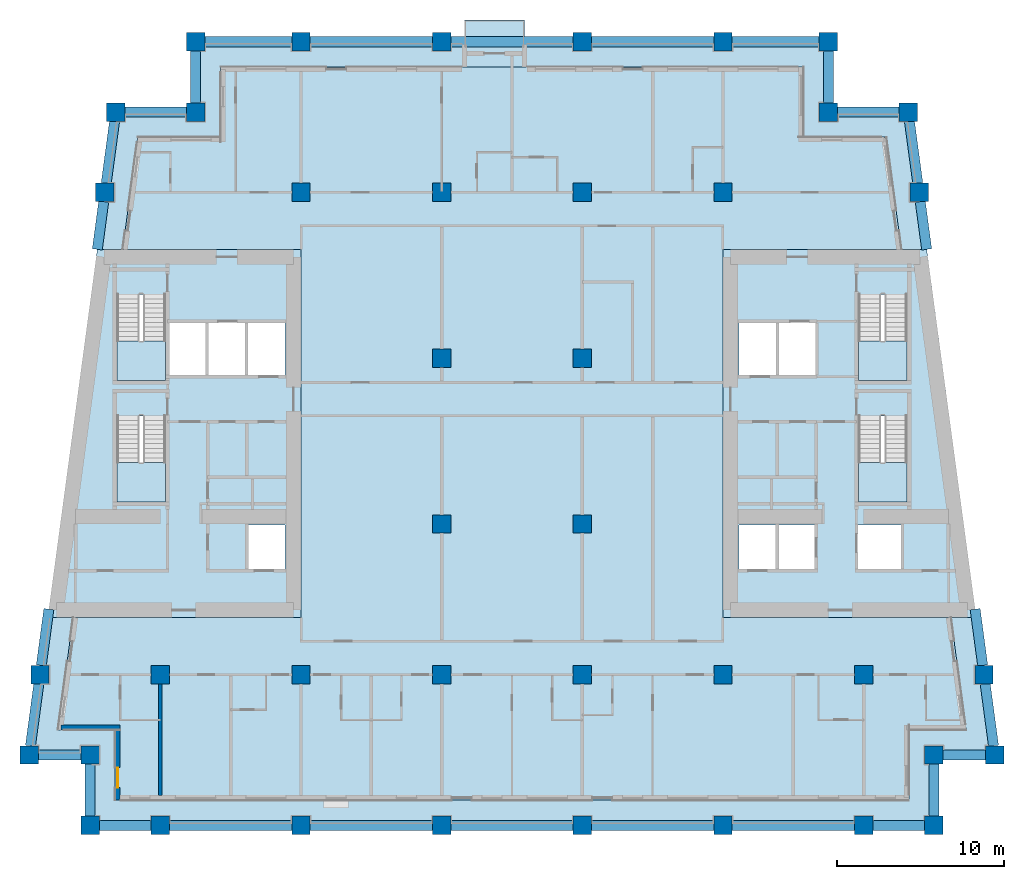
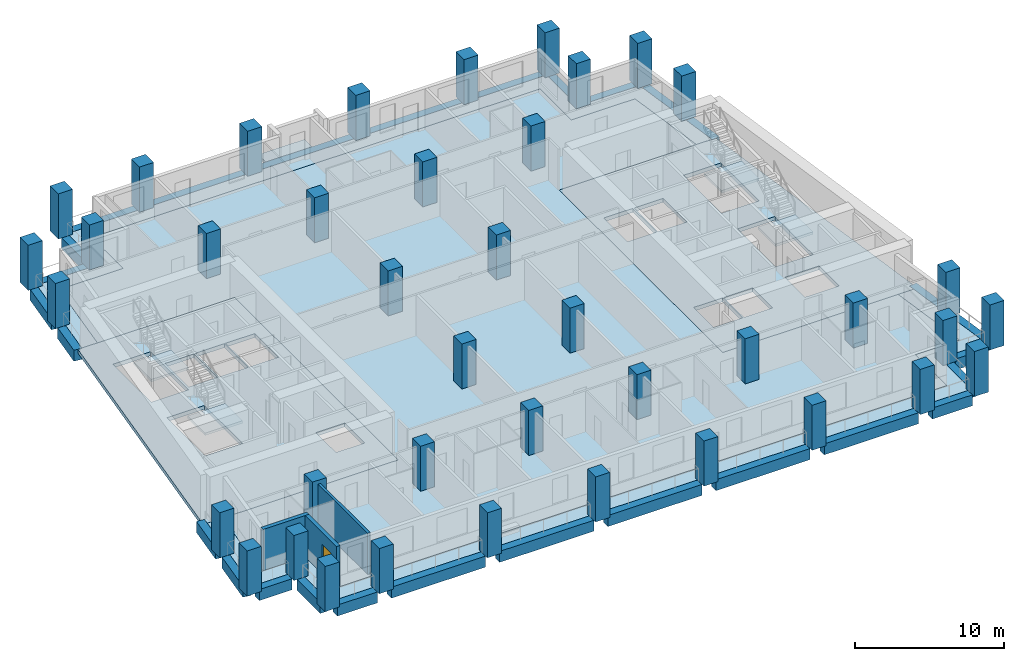
# One storey, part 1 of 13: 40 columns, 28 beams, 10 slabs, 3 walls, 1 door, 1 opening, 4 elements without a shape of their own.
"""IFC4 building model written with IfcOpenShell, lengths in metres."""

from ifc_helpers import new_model, si_unit, direction, frame, frame_2d, origin, origin_2d, place, context, subcontext, project, spatial, polyline, rectangle, outline, extrude, material, layer, layer_set, material_profile, profile_set, type_object, element, fill, aggregate, save


model = new_model("IFC4")

# Units and contexts
model_context = context("Model", 3, precision=1e-05, world=origin(), true_north=direction((0.0, 1.0)))
body_context = subcontext(model_context, "Body", "Model", "MODEL_VIEW")
ifc_project = project(units=[si_unit("LENGTHUNIT", "METRE"), si_unit("AREAUNIT", "SQUARE_METRE"), si_unit("VOLUMEUNIT", "CUBIC_METRE"), si_unit("PLANEANGLEUNIT", "RADIAN"), si_unit("MASSUNIT", "GRAM", prefix="KILO")], contexts=[model_context])

# Site, building, storey
site_placement = place(None, origin())
site = spatial("IfcSite", under=ifc_project, at=site_placement, CompositionType="ELEMENT")
building_placement = place(site_placement, origin())
building = spatial("IfcBuilding", under=site, at=building_placement, Name="Candeia Pilgrim Tower and Theatre", CompositionType="ELEMENT")
storey_placement = place(building_placement, frame((0.0, 0.0, 155.199951171875)))
storey = spatial("IfcBuildingStorey", under=building, at=storey_placement, Name="L36", CompositionType="ELEMENT", Elevation=155.199951171875)

# Columns
ifc_material_1 = material(Name="Concrete C60/75", Category="concrete")
ifc_material_profile_1 = material_profile(ifc_material_1, rectangle(XDim=1.10009765625, YDim=1.10009765625, at=origin_2d()))
ifc_profile_set_1 = profile_set([ifc_material_profile_1], Name="Concrete C60/75")
column_type = type_object("IfcColumnType", Name="RC 1100x1100 C60/75", PredefinedType="COLUMN", material=ifc_profile_set_1)
for number, where, z_axis, x_axis, name in (
    (1, (92.39990234375, 98.0, 0.0), (0.0, 0.0, 1.0), (1.0, 0.0, 0.0), "Column A1"),
    (2, (100.800048828125, 98.0, 0.0), (0.0, 0.0, 1.0), (1.0, 0.0, 0.0), "Column A2"),
    (3, (109.199951171875, 98.0, 0.0), (0.0, 0.0, 1.0), (1.0, 0.0, 0.0), "Column A3"),
    (4, (117.60009765625, 98.0, 0.0), (0.0, 0.0, 1.0), (1.0, 0.0, 0.0), "Column A4"),
    (5, (126.0, 98.0, 0.0), (0.0, 0.0, 1.0), (1.0, 0.0, 0.0), "Column A5"),
    (6, (134.39990234375, 98.0, 0.0), (0.0, 0.0, 1.0), (1.0, 0.0, 0.0), "Column A6"),
    (7, (88.199951171875, 98.0, 0.0), (0.0, 0.0, 1.0), (1.0, 0.0, 0.0), "Column AW"),
    (8, (138.60009765625, 98.0, 0.0), (0.0, 0.0, 1.0), (1.0, 0.0, 0.0), "Column AE"),
    (9, (88.199951171875, 102.199951171875, 0.0), (0.0, 0.0, 1.0), (1.0, 0.0, 0.0), "Column NSW"),
    (10, (138.60009765625, 102.199951171875, 0.0), (0.0, 0.0, 1.0), (1.0, 0.0, 0.0), "Column NSE"),
    (11, (94.5, 140.60009765625, 0.0), (0.0, 0.0, 1.0), (1.0, 0.0, 0.0), "Column NNW"),
    (12, (132.300048828125, 140.60009765625, 0.0), (0.0, 0.0, 1.0), (1.0, 0.0, 0.0), "Column NNE"),
    (13, (84.5654296875, 102.199951171875, 0.0), (0.0, 0.0, 1.0), (1.0, 0.0, 0.0), "Column LSW"),
    (14, (142.234619140625, 102.199951171875, 0.0), (0.0, 0.0, 1.0), (1.0, 0.0, 0.0), "Column LSE"),
    (15, (89.734619140625, 140.60009765625, 0.0), (0.0, 0.0, 1.0), (1.0, 0.0, 0.0), "Column LNW"),
    (16, (137.0654296875, 140.60009765625, 0.0), (0.0, 0.0, 1.0), (1.0, 0.0, 0.0), "Column LNE"),
    (17, (92.39990234375, 107.0, 0.0), (0.0, 0.0, 1.0), (1.0, 0.0, 0.0), "Column B1"),
    (18, (100.800048828125, 107.0, 0.0), (0.0, 0.0, 1.0), (1.0, 0.0, 0.0), "Column B2"),
    (19, (109.199951171875, 107.0, 0.0), (0.0, 0.0, 1.0), (1.0, 0.0, 0.0), "Column B3"),
    (20, (117.60009765625, 107.0, 0.0), (0.0, 0.0, 1.0), (1.0, 0.0, 0.0), "Column B4"),
    (21, (126.0, 107.0, 0.0), (0.0, 0.0, 1.0), (1.0, 0.0, 0.0), "Column B5"),
    (22, (134.39990234375, 107.0, 0.0), (0.0, 0.0, 1.0), (1.0, 0.0, 0.0), "Column B6"),
    (23, (85.21142578125, 107.0, 0.0), (0.0, 0.0, 1.0), (1.0, 0.0, 0.0), "Column BW"),
    (24, (141.58837890625, 107.0, 0.0), (0.0, 0.0, 1.0), (1.0, 0.0, 0.0), "Column BE"),
    (25, (109.199951171875, 116.0, 0.0), (0.0, 0.0, 1.0), (1.0, 0.0, 0.0), "Column C3"),
    (26, (117.60009765625, 116.0, 0.0), (0.0, 0.0, 1.0), (1.0, 0.0, 0.0), "Column C4"),
    (27, (109.199951171875, 125.89990234375, 0.0), (0.0, 0.0, 1.0), (1.0, 0.0, 0.0), "Column D3"),
    (28, (117.60009765625, 125.89990234375, 0.0), (0.0, 0.0, 1.0), (1.0, 0.0, 0.0), "Column D4"),
    (29, (100.800048828125, 135.800048828125, 0.0), (0.0, 0.0, 1.0), (1.0, 0.0, 0.0), "Column E2"),
    (30, (109.199951171875, 135.800048828125, 0.0), (0.0, 0.0, 1.0), (1.0, 0.0, 0.0), "Column E3"),
    (31, (117.60009765625, 135.800048828125, 0.0), (0.0, 0.0, 1.0), (1.0, 0.0, 0.0), "Column E4"),
    (32, (126.0, 135.800048828125, 0.0), (0.0, 0.0, 1.0), (1.0, 0.0, 0.0), "Column E5"),
    (33, (89.08837890625, 135.800048828125, 0.0), (0.0, 0.0, 1.0), (1.0, 0.0, 0.0), "Column EW"),
    (34, (137.71142578125, 135.800048828125, 0.0), (0.0, 0.0, 1.0), (1.0, 0.0, 0.0), "Column EE"),
    (35, (100.800048828125, 144.800048828125, 0.0), (0.0, 0.0, 1.0), (1.0, 0.0, 0.0), "Column F2"),
    (36, (109.199951171875, 144.800048828125, 0.0), (0.0, 0.0, 1.0), (1.0, 0.0, 0.0), "Column F3"),
    (37, (117.60009765625, 144.800048828125, 0.0), (0.0, 0.0, 1.0), (1.0, 0.0, 0.0), "Column F4"),
    (38, (126.0, 144.800048828125, 0.0), (0.0, 0.0, 1.0), (1.0, 0.0, 0.0), "Column F5"),
    (39, (94.5, 144.800048828125, 0.0), (0.0, 0.0, 1.0), (1.0, 0.0, 0.0), "Column FW"),
    (40, (132.300048828125, 144.800048828125, 0.0), (0.0, 0.0, 1.0), (1.0, 0.0, 0.0), "Column FE"),
):
    element("IfcColumn", number, at=place(storey_placement, frame(where, z_axis=z_axis, x_axis=x_axis)), inside=storey, type_object=column_type, Name=name, PredefinedType="COLUMN", context=body_context, shape_type="SweptSolid", body=[
        extrude(rectangle(XDim=1.10009765625, YDim=1.10009765625, at=origin_2d()), origin(), (0.0, 0.0, 1.0), 3.699951171875),
    ])

# Beams
ifc_material_profile_2 = material_profile(ifc_material_1, rectangle(XDim=0.60009765625, YDim=0.89990234375, at=origin_2d()))
ifc_profile_set_2 = profile_set([ifc_material_profile_2], Name="Concrete C60/75")
beam_type = type_object("IfcBeamType", Name="RC 600x900 C60/75", PredefinedType="BEAM", material=ifc_profile_set_2)
beam_1_placement = place(storey_placement, frame((88.75, 98.0, -0.449951171875), z_axis=(1.0, 0.0, 0.0), x_axis=(0.0, 1.0, 0.0)))
element("IfcBeam", 41, at=beam_1_placement, inside=storey, type_object=beam_type, Name="Spandrel beam L36-01", PredefinedType="BEAM", context=body_context, shape_type="SweptSolid", body=[
    extrude(rectangle(XDim=0.60009765625, YDim=0.89990234375, at=origin_2d()), origin(), (0.0, 0.0, 1.0), 3.10009765625),
])
beam_2_placement = place(storey_placement, frame((92.949951171875, 98.0, -0.449951171875), z_axis=(1.0, 0.0, 0.0), x_axis=(0.0, 1.0, 0.0)))
element("IfcBeam", 42, at=beam_2_placement, inside=storey, type_object=beam_type, Name="Spandrel beam L36-02", PredefinedType="BEAM", context=body_context, shape_type="SweptSolid", body=[
    extrude(rectangle(XDim=0.60009765625, YDim=0.89990234375, at=origin_2d()), origin(), (0.0, 0.0, 1.0), 7.300048828125),
])
beam_3_placement = place(storey_placement, frame((101.35009765625, 98.0, -0.449951171875), z_axis=(1.0, 0.0, 0.0), x_axis=(0.0, 1.0, 0.0)))
element("IfcBeam", 43, at=beam_3_placement, inside=storey, type_object=beam_type, Name="Spandrel beam L36-03", PredefinedType="BEAM", context=body_context, shape_type="SweptSolid", body=[
    extrude(rectangle(XDim=0.60009765625, YDim=0.89990234375, at=origin_2d()), origin(), (0.0, 0.0, 1.0), 7.2998046875),
])
for number, where, z_axis, x_axis, name in (
    (44, (109.75, 98.0, -0.449951171875), (1.0, 0.0, 0.0), (0.0, 1.0, 0.0), "Spandrel beam L36-04"),
    (45, (118.14990234375, 98.0, -0.449951171875), (1.0, 0.0, 0.0), (0.0, 1.0, 0.0), "Spandrel beam L36-05"),
    (46, (126.550048828125, 98.0, -0.449951171875), (1.0, 0.0, 0.0), (0.0, 1.0, 0.0), "Spandrel beam L36-06"),
):
    element("IfcBeam", number, at=place(storey_placement, frame(where, z_axis=z_axis, x_axis=x_axis)), inside=storey, type_object=beam_type, Name=name, PredefinedType="BEAM", context=body_context, shape_type="SweptSolid", body=[
        extrude(rectangle(XDim=0.60009765625, YDim=0.89990234375, at=origin_2d()), origin(), (0.0, 0.0, 1.0), 7.300048828125),
    ])
beam_4_placement = place(storey_placement, frame((134.949951171875, 98.0, -0.449951171875), z_axis=(1.0, 0.0, 0.0), x_axis=(0.0, 1.0, 0.0)))
element("IfcBeam", 47, at=beam_4_placement, inside=storey, type_object=beam_type, Name="Spandrel beam L36-07", PredefinedType="BEAM", context=body_context, shape_type="SweptSolid", body=[
    extrude(rectangle(XDim=0.60009765625, YDim=0.89990234375, at=origin_2d()), origin(), (0.0, 0.0, 1.0), 3.10009765625),
])
beam_5_placement = place(storey_placement, frame((138.60009765625, 98.550048828125, -0.449951171875), z_axis=(0.0, 1.0, 0.0), x_axis=(-1.0, 0.0, 0.0)))
element("IfcBeam", 48, at=beam_5_placement, inside=storey, type_object=beam_type, Name="Spandrel beam L36-08", PredefinedType="BEAM", context=body_context, shape_type="SweptSolid", body=[
    extrude(rectangle(XDim=0.60009765625, YDim=0.89990234375, at=origin_2d()), origin(), (0.0, 0.0, 1.0), 3.099853515625),
])
beam_6_placement = place(storey_placement, frame((139.14990234375, 102.199951171875, -0.449951171875), z_axis=(1.0, 0.0, 0.0), x_axis=(0.0, 1.0, 0.0)))
element("IfcBeam", 49, at=beam_6_placement, inside=storey, type_object=beam_type, Name="Spandrel beam L36-09", PredefinedType="BEAM", context=body_context, shape_type="SweptSolid", body=[
    extrude(rectangle(XDim=0.60009765625, YDim=0.89990234375, at=origin_2d()), origin(), (0.0, 0.0, 1.0), 2.53466796875),
])
beam_7_placement = place(storey_placement, frame((142.16064453125, 102.75, -0.449951171875), z_axis=(-0.133405836075, 0.991061492997, 0.0), x_axis=(-0.991061492997, -0.133405836075, 0.0)))
element("IfcBeam", 50, at=beam_7_placement, inside=storey, type_object=beam_type, Name="Spandrel beam L36-10", PredefinedType="BEAM", context=body_context, shape_type="SweptSolid", body=[
    extrude(rectangle(XDim=0.60009765625, YDim=0.89990234375, at=origin_2d()), origin(), (0.0, 0.0, 1.0), 3.7333984375),
])
beam_8_placement = place(storey_placement, frame((141.514404296875, 107.550048828125, -0.449951171875), z_axis=(-0.133432414187, 0.99105791498, 0.0), x_axis=(-0.99105791498, -0.133432414187, 0.0)))
element("IfcBeam", 51, at=beam_8_placement, inside=storey, type_object=beam_type, Name="Spandrel beam L36-11", PredefinedType="BEAM", context=body_context, shape_type="SweptSolid", body=[
    extrude(rectangle(XDim=0.60009765625, YDim=0.89990234375, at=origin_2d()), origin(), (0.0, 0.0, 1.0), 3.390380859375),
])
beam_9_placement = place(storey_placement, frame((138.169189453125, 132.39990234375, -0.449951171875), z_axis=(-0.133370319951, 0.99106627314, 0.0), x_axis=(-0.99106627314, -0.133370319951, 0.0)))
element("IfcBeam", 52, at=beam_9_placement, inside=storey, type_object=beam_type, Name="Spandrel beam L36-12", PredefinedType="BEAM", context=body_context, shape_type="SweptSolid", body=[
    extrude(rectangle(XDim=0.60009765625, YDim=0.89990234375, at=origin_2d()), origin(), (0.0, 0.0, 1.0), 2.875732421875),
])
beam_10_placement = place(storey_placement, frame((137.637451171875, 136.35009765625, -0.449951171875), z_axis=(-0.133405836075, 0.991061492997, 0.0), x_axis=(-0.991061492997, -0.133405836075, 0.0)))
element("IfcBeam", 53, at=beam_10_placement, inside=storey, type_object=beam_type, Name="Spandrel beam L36-13", PredefinedType="BEAM", context=body_context, shape_type="SweptSolid", body=[
    extrude(rectangle(XDim=0.60009765625, YDim=0.89990234375, at=origin_2d()), origin(), (0.0, 0.0, 1.0), 3.7333984375),
])
beam_11_placement = place(storey_placement, frame((136.515380859375, 140.60009765625, -0.449951171875), z_axis=(-1.0, 0.0, 0.0), x_axis=(0.0, -1.0, 0.0)))
element("IfcBeam", 54, at=beam_11_placement, inside=storey, type_object=beam_type, Name="Spandrel beam L36-14", PredefinedType="BEAM", context=body_context, shape_type="SweptSolid", body=[
    extrude(rectangle(XDim=0.60009765625, YDim=0.89990234375, at=origin_2d()), origin(), (0.0, 0.0, 1.0), 3.665283203125),
])
beam_12_placement = place(storey_placement, frame((132.300048828125, 141.14990234375, -0.449951171875), z_axis=(0.0, 1.0, 0.0), x_axis=(-1.0, 0.0, 0.0)))
element("IfcBeam", 55, at=beam_12_placement, inside=storey, type_object=beam_type, Name="Spandrel beam L36-15", PredefinedType="BEAM", context=body_context, shape_type="SweptSolid", body=[
    extrude(rectangle(XDim=0.60009765625, YDim=0.89990234375, at=origin_2d()), origin(), (0.0, 0.0, 1.0), 3.10009765625),
])
beam_13_placement = place(storey_placement, frame((131.75, 144.800048828125, -0.449951171875), z_axis=(-1.0, 0.0, 0.0), x_axis=(0.0, -1.0, 0.0)))
element("IfcBeam", 56, at=beam_13_placement, inside=storey, type_object=beam_type, Name="Spandrel beam L36-16", PredefinedType="BEAM", context=body_context, shape_type="SweptSolid", body=[
    extrude(rectangle(XDim=0.60009765625, YDim=0.89990234375, at=origin_2d()), origin(), (0.0, 0.0, 1.0), 5.199951171875),
])
for number, where, z_axis, x_axis, name in (
    (57, (125.449951171875, 144.800048828125, -0.449951171875), (-1.0, 0.0, 0.0), (0.0, -1.0, 0.0), "Spandrel beam L36-17"),
    (58, (117.050048828125, 144.800048828125, -0.449951171875), (-1.0, 0.0, 0.0), (0.0, -1.0, 0.0), "Spandrel beam L36-18"),
):
    element("IfcBeam", number, at=place(storey_placement, frame(where, z_axis=z_axis, x_axis=x_axis)), inside=storey, type_object=beam_type, Name=name, PredefinedType="BEAM", context=body_context, shape_type="SweptSolid", body=[
        extrude(rectangle(XDim=0.60009765625, YDim=0.89990234375, at=origin_2d()), origin(), (0.0, 0.0, 1.0), 7.300048828125),
    ])
beam_14_placement = place(storey_placement, frame((108.64990234375, 144.800048828125, -0.449951171875), z_axis=(-1.0, 0.0, 0.0), x_axis=(0.0, -1.0, 0.0)))
element("IfcBeam", 59, at=beam_14_placement, inside=storey, type_object=beam_type, Name="Spandrel beam L36-19", PredefinedType="BEAM", context=body_context, shape_type="SweptSolid", body=[
    extrude(rectangle(XDim=0.60009765625, YDim=0.89990234375, at=origin_2d()), origin(), (0.0, 0.0, 1.0), 7.2998046875),
])
beam_15_placement = place(storey_placement, frame((100.25, 144.800048828125, -0.449951171875), z_axis=(-1.0, 0.0, 0.0), x_axis=(0.0, -1.0, 0.0)))
element("IfcBeam", 60, at=beam_15_placement, inside=storey, type_object=beam_type, Name="Spandrel beam L36-20", PredefinedType="BEAM", context=body_context, shape_type="SweptSolid", body=[
    extrude(rectangle(XDim=0.60009765625, YDim=0.89990234375, at=origin_2d()), origin(), (0.0, 0.0, 1.0), 5.199951171875),
])
beam_16_placement = place(storey_placement, frame((94.5, 144.25, -0.449951171875), z_axis=(0.0, -1.0, 0.0), x_axis=(1.0, 0.0, 0.0)))
element("IfcBeam", 61, at=beam_16_placement, inside=storey, type_object=beam_type, Name="Spandrel beam L36-21", PredefinedType="BEAM", context=body_context, shape_type="SweptSolid", body=[
    extrude(rectangle(XDim=0.60009765625, YDim=0.89990234375, at=origin_2d()), origin(), (0.0, 0.0, 1.0), 3.10009765625),
])
beam_17_placement = place(storey_placement, frame((93.949951171875, 140.60009765625, -0.449951171875), z_axis=(-1.0, 0.0, 0.0), x_axis=(0.0, -1.0, 0.0)))
element("IfcBeam", 62, at=beam_17_placement, inside=storey, type_object=beam_type, Name="Spandrel beam L36-22", PredefinedType="BEAM", context=body_context, shape_type="SweptSolid", body=[
    extrude(rectangle(XDim=0.60009765625, YDim=0.89990234375, at=origin_2d()), origin(), (0.0, 0.0, 1.0), 3.665283203125),
])
beam_18_placement = place(storey_placement, frame((89.66064453125, 140.050048828125, -0.449951171875), z_axis=(-0.133405836075, -0.991061492997, 0.0), x_axis=(0.991061492997, -0.133405836075, 0.0)))
element("IfcBeam", 63, at=beam_18_placement, inside=storey, type_object=beam_type, Name="Spandrel beam L36-23", PredefinedType="BEAM", context=body_context, shape_type="SweptSolid", body=[
    extrude(rectangle(XDim=0.60009765625, YDim=0.89990234375, at=origin_2d()), origin(), (0.0, 0.0, 1.0), 3.7333984375),
])
beam_19_placement = place(storey_placement, frame((89.014404296875, 135.25, -0.449951171875), z_axis=(-0.133370319951, -0.99106627314, 0.0), x_axis=(0.99106627314, -0.133370319951, 0.0)))
element("IfcBeam", 64, at=beam_19_placement, inside=storey, type_object=beam_type, Name="Spandrel beam L36-24", PredefinedType="BEAM", context=body_context, shape_type="SweptSolid", body=[
    extrude(rectangle(XDim=0.60009765625, YDim=0.89990234375, at=origin_2d()), origin(), (0.0, 0.0, 1.0), 2.875732421875),
])
beam_20_placement = place(storey_placement, frame((85.73779296875, 110.91015625, -0.449951171875), z_axis=(-0.133361686371, -0.991067434945, 0.0), x_axis=(0.991067434945, -0.133361686371, 0.0)))
element("IfcBeam", 65, at=beam_20_placement, inside=storey, type_object=beam_type, Name="Spandrel beam L36-25", PredefinedType="BEAM", context=body_context, shape_type="SweptSolid", body=[
    extrude(rectangle(XDim=0.60009765625, YDim=0.89990234375, at=origin_2d()), origin(), (0.0, 0.0, 1.0), 3.390380859375),
])
beam_21_placement = place(storey_placement, frame((85.137451171875, 106.449951171875, -0.449951171875), z_axis=(-0.133405836075, -0.991061492997, 0.0), x_axis=(0.991061492997, -0.133405836075, 0.0)))
element("IfcBeam", 66, at=beam_21_placement, inside=storey, type_object=beam_type, Name="Spandrel beam L36-26", PredefinedType="BEAM", context=body_context, shape_type="SweptSolid", body=[
    extrude(rectangle(XDim=0.60009765625, YDim=0.89990234375, at=origin_2d()), origin(), (0.0, 0.0, 1.0), 3.7333984375),
])
beam_22_placement = place(storey_placement, frame((85.115478515625, 102.199951171875, -0.449951171875), z_axis=(1.0, 0.0, 0.0), x_axis=(0.0, 1.0, 0.0)))
element("IfcBeam", 67, at=beam_22_placement, inside=storey, type_object=beam_type, Name="Spandrel beam L36-27", PredefinedType="BEAM", context=body_context, shape_type="SweptSolid", body=[
    extrude(rectangle(XDim=0.60009765625, YDim=0.89990234375, at=origin_2d()), origin(), (0.0, 0.0, 1.0), 2.534423828125),
])
beam_23_placement = place(storey_placement, frame((88.199951171875, 101.64990234375, -0.449951171875), z_axis=(0.0, -1.0, 0.0), x_axis=(1.0, 0.0, 0.0)))
element("IfcBeam", 68, at=beam_23_placement, inside=storey, type_object=beam_type, Name="Spandrel beam L36-28", PredefinedType="BEAM", context=body_context, shape_type="SweptSolid", body=[
    extrude(rectangle(XDim=0.60009765625, YDim=0.89990234375, at=origin_2d()), origin(), (0.0, 0.0, 1.0), 3.099853515625),
])

# Slabs
ifc_material_2 = material(Name="Concrete C40/50", Category="concrete")
ifc_layer_1 = layer(ifc_material_2, 0.25)
ifc_layer_set_1 = layer_set([ifc_layer_1], Name="BK1 balcony slab 250")
slab_type_1 = type_object("IfcSlabType", Name="BK1 balcony slab 250", PredefinedType="USERDEFINED", material=ifc_layer_set_1)
slab_1_placement = place(storey_placement, frame((0.0, 0.0, -0.25)))
element("IfcSlab", 69, at=slab_1_placement, inside=storey, type_object=slab_type_1, Name="Balcony L36", ObjectType="BALCONY", PredefinedType="USERDEFINED", context=body_context, shape_type="SweptSolid", body=[
    extrude(outline(polyline([(110.550048828125, 144.5), (114.14990234375, 144.5), (114.14990234375, 146.10009765625), (110.550048828125, 146.10009765625), (110.550048828125, 144.5)])), origin(), (0.0, 0.0, 1.0), 0.25),
])
ifc_layer_2 = layer(ifc_material_1, 0.320068359375)
ifc_layer_set_2 = layer_set([ifc_layer_2], Name="FS-CORE 320 core floor")
slab_type_2 = type_object("IfcSlabType", Name="FS-CORE 320 core floor", PredefinedType="FLOOR", material=ifc_layer_set_2)
slab_2_placement = place(storey_placement, frame((0.0, 0.0, -0.320068359375)))
element("IfcSlab", 70, at=slab_2_placement, inside=storey, type_object=slab_type_2, Name="Core floor W L36", PredefinedType="FLOOR", context=body_context, shape_type="SweptSolid", body=[
    extrude(outline(polyline([(100.800048828125, 132.39990234375), (100.800048828125, 110.39990234375), (85.669189453125, 110.39990234375), (88.630859375, 132.39990234375), (100.800048828125, 132.39990234375)]), holes=[polyline([(97.59228515625, 128.050048828125), (97.59228515625, 124.85009765625), (99.85009765625, 124.85009765625), (99.85009765625, 128.050048828125), (97.59228515625, 128.050048828125)]), polyline([(97.613525390625, 113.25), (99.85009765625, 113.25), (99.85009765625, 115.949951171875), (97.613525390625, 115.949951171875), (97.613525390625, 113.25)]), polyline([(95.234619140625, 124.85009765625), (97.4921875, 124.85009765625), (97.4921875, 128.050048828125), (95.234619140625, 128.050048828125), (95.234619140625, 124.85009765625)]), polyline([(92.876953125, 128.050048828125), (92.876953125, 124.85009765625), (95.134765625, 124.85009765625), (95.134765625, 128.050048828125), (92.876953125, 128.050048828125)]), polyline([(89.802001953125, 122.455078125), (89.802001953125, 117.324951171875), (92.701904296875, 117.324951171875), (92.701904296875, 122.455078125), (89.802001953125, 122.455078125)]), polyline([(89.802001953125, 129.705078125), (89.802001953125, 124.574951171875), (92.701904296875, 124.574951171875), (92.701904296875, 129.705078125), (89.802001953125, 129.705078125)])]), origin(), (0.0, 0.0, 1.0), 0.320068359375),
])
slab_3_placement = place(storey_placement, frame((0.0, 0.0, -0.320068359375)))
element("IfcSlab", 71, at=slab_3_placement, inside=storey, type_object=slab_type_2, Name="Core floor E L36", PredefinedType="FLOOR", context=body_context, shape_type="SweptSolid", body=[
    extrude(outline(polyline([(138.169189453125, 132.39990234375), (141.130859375, 110.39990234375), (126.0, 110.39990234375), (126.0, 132.39990234375), (138.169189453125, 132.39990234375)]), holes=[polyline([(134.097900390625, 122.455078125), (134.097900390625, 117.324951171875), (136.998046875, 117.324951171875), (136.998046875, 122.455078125), (134.097900390625, 122.455078125)]), polyline([(134.097900390625, 129.705078125), (134.097900390625, 124.574951171875), (136.998046875, 124.574951171875), (136.998046875, 129.705078125), (134.097900390625, 129.705078125)]), polyline([(136.672607421875, 115.949951171875), (134.02294921875, 115.949951171875), (134.02294921875, 113.25), (136.672607421875, 113.25), (136.672607421875, 115.949951171875)]), polyline([(131.565185546875, 128.050048828125), (129.3076171875, 128.050048828125), (129.3076171875, 124.85009765625), (131.565185546875, 124.85009765625), (131.565185546875, 128.050048828125)]), polyline([(131.52294921875, 115.949951171875), (129.28662109375, 115.949951171875), (129.28662109375, 113.25), (131.52294921875, 113.25), (131.52294921875, 115.949951171875)]), polyline([(129.207763671875, 128.050048828125), (126.949951171875, 128.050048828125), (126.949951171875, 124.85009765625), (129.207763671875, 124.85009765625), (129.207763671875, 128.050048828125)]), polyline([(126.949951171875, 115.949951171875), (126.949951171875, 113.25), (129.1865234375, 113.25), (129.1865234375, 115.949951171875), (126.949951171875, 115.949951171875)])]), origin(), (0.0, 0.0, 1.0), 0.320068359375),
])
ifc_material_3 = material(Name="Concrete C50/60", Category="concrete")
ifc_layer_3 = layer(ifc_material_3, 0.320068359375)
ifc_layer_set_3 = layer_set([ifc_layer_3], Name="Floor slab 320 C50/60")
slab_type_3 = type_object("IfcSlabType", Name="Floor slab 320 C50/60", PredefinedType="FLOOR", material=ifc_layer_set_3)
slab_4_placement = place(storey_placement, frame((0.0, 0.0, -0.320068359375)))
element("IfcSlab", 72, at=slab_4_placement, inside=storey, type_object=slab_type_3, Name="Floor slab L36", PredefinedType="FLOOR", context=body_context, shape_type="SweptSolid", body=[
    extrude(outline(polyline([(96.0, 139.10009765625), (96.0, 143.300048828125), (130.800048828125, 143.300048828125), (130.800048828125, 139.10009765625), (135.753662109375, 139.10009765625), (136.65576171875, 132.39990234375), (126.0, 132.39990234375), (126.0, 110.39990234375), (139.6171875, 110.39990234375), (140.51904296875, 103.699951171875), (137.10009765625, 103.699951171875), (137.10009765625, 99.5), (89.699951171875, 99.5), (89.699951171875, 103.699951171875), (86.28076171875, 103.699951171875), (87.182861328125, 110.39990234375), (100.800048828125, 110.39990234375), (100.800048828125, 132.39990234375), (90.144287109375, 132.39990234375), (91.046142578125, 139.10009765625), (96.0, 139.10009765625)])), origin(), (0.0, 0.0, 1.0), 0.320068359375),
])
ifc_layer_4 = layer(ifc_material_2, 0.25)
ifc_layer_set_4 = layer_set([ifc_layer_4], Name="Loggia slab 250 C40/50")
slab_type_4 = type_object("IfcSlabType", Name="Loggia slab 250 C40/50", PredefinedType="FLOOR", material=ifc_layer_set_4)
slab_5_placement = place(storey_placement, frame((0.0, 0.0, -0.25)))
element("IfcSlab", 73, at=slab_5_placement, inside=storey, type_object=slab_type_4, Name="Loggia slab L36 1", PredefinedType="FLOOR", context=body_context, shape_type="SweptSolid", body=[
    extrude(outline(polyline([(87.182861328125, 110.39990234375), (86.28076171875, 103.699951171875), (89.699951171875, 103.699951171875), (89.699951171875, 99.5), (137.10009765625, 99.5), (137.10009765625, 103.699951171875), (140.51904296875, 103.699951171875), (139.6171875, 110.39990234375), (140.828125, 110.39990234375), (141.8916015625, 102.5), (138.300048828125, 102.5), (138.300048828125, 98.300048828125), (88.5, 98.300048828125), (88.5, 102.5), (84.908447265625, 102.5), (85.971923828125, 110.39990234375), (87.182861328125, 110.39990234375)])), origin(), (0.0, 0.0, 1.0), 0.25),
])
slab_6_placement = place(storey_placement, frame((0.0, 0.0, -0.25)))
element("IfcSlab", 74, at=slab_6_placement, inside=storey, type_object=slab_type_4, Name="Loggia slab L36 2", PredefinedType="FLOOR", context=body_context, shape_type="SweptSolid", body=[
    extrude(outline(polyline([(136.65576171875, 132.39990234375), (135.753662109375, 139.10009765625), (130.800048828125, 139.10009765625), (130.800048828125, 143.300048828125), (96.0, 143.300048828125), (96.0, 139.10009765625), (91.046142578125, 139.10009765625), (90.144287109375, 132.39990234375), (88.93359375, 132.39990234375), (89.996826171875, 140.300048828125), (94.800048828125, 140.300048828125), (94.800048828125, 144.5), (132.0, 144.5), (132.0, 140.300048828125), (136.802978515625, 140.300048828125), (137.866455078125, 132.39990234375), (136.65576171875, 132.39990234375)])), origin(), (0.0, 0.0, 1.0), 0.25),
])

# Stair, slab
stair_type = type_object("IfcStairType", Name="ST-TWR dog-leg escape stair", PredefinedType="HALF_TURN_STAIR", material=ifc_material_2)
stair_1_placement = place(storey_placement, origin())
stair_1 = element("IfcStair", 75, at=stair_1_placement, inside=storey, type_object=stair_type, Name="L36 Escape stair ST1", PredefinedType="HALF_TURN_STAIR")
ifc_layer_5 = layer(ifc_material_2, 0.199951171875)
ifc_layer_set_5 = layer_set([ifc_layer_5], Name="SL-LANDING stair landing")
slab_type_5 = type_object("IfcSlabType", Name="SL-LANDING stair landing", PredefinedType="LANDING", material=ifc_layer_set_5)
slab_7_placement = place(storey_placement, frame((0.0, 0.0, 1.650146484375)))
slab_7 = element("IfcSlab", 76, at=slab_7_placement, type_object=slab_type_5, Name="ST1 landing 1", PredefinedType="LANDING", context=body_context, shape_type="SweptSolid", body=[
    extrude(outline(polyline([(89.802001953125, 119.675048828125), (89.802001953125, 117.324951171875), (92.701904296875, 117.324951171875), (92.701904296875, 119.675048828125), (89.802001953125, 119.675048828125)])), origin(), (0.0, 0.0, 1.0), 0.199951171875),
])
aggregate(stair_1, [slab_7])

stair_2_placement = place(storey_placement, origin())
stair_2 = element("IfcStair", 77, at=stair_2_placement, inside=storey, type_object=stair_type, Name="L36 Escape stair ST2", PredefinedType="HALF_TURN_STAIR")
slab_8_placement = place(storey_placement, frame((0.0, 0.0, 1.650146484375)))
slab_8 = element("IfcSlab", 78, at=slab_8_placement, type_object=slab_type_5, Name="ST2 landing 1", PredefinedType="LANDING", context=body_context, shape_type="SweptSolid", body=[
    extrude(outline(polyline([(89.802001953125, 126.925048828125), (89.802001953125, 124.574951171875), (92.701904296875, 124.574951171875), (92.701904296875, 126.925048828125), (89.802001953125, 126.925048828125)])), origin(), (0.0, 0.0, 1.0), 0.199951171875),
])
aggregate(stair_2, [slab_8])

stair_3_placement = place(storey_placement, origin())
stair_3 = element("IfcStair", 79, at=stair_3_placement, inside=storey, type_object=stair_type, Name="L36 Escape stair ST3", PredefinedType="HALF_TURN_STAIR")
slab_9_placement = place(storey_placement, frame((0.0, 0.0, 1.650146484375)))
slab_9 = element("IfcSlab", 80, at=slab_9_placement, type_object=slab_type_5, Name="ST3 landing 1", PredefinedType="LANDING", context=body_context, shape_type="SweptSolid", body=[
    extrude(outline(polyline([(134.097900390625, 119.675048828125), (134.097900390625, 117.324951171875), (136.998046875, 117.324951171875), (136.998046875, 119.675048828125), (134.097900390625, 119.675048828125)])), origin(), (0.0, 0.0, 1.0), 0.199951171875),
])
aggregate(stair_3, [slab_9])

stair_4_placement = place(storey_placement, origin())
stair_4 = element("IfcStair", 81, at=stair_4_placement, inside=storey, type_object=stair_type, Name="L36 Escape stair ST4", PredefinedType="HALF_TURN_STAIR")
slab_10_placement = place(storey_placement, frame((0.0, 0.0, 1.650146484375)))
slab_10 = element("IfcSlab", 82, at=slab_10_placement, type_object=slab_type_5, Name="ST4 landing 1", PredefinedType="LANDING", context=body_context, shape_type="SweptSolid", body=[
    extrude(outline(polyline([(134.097900390625, 126.925048828125), (134.097900390625, 124.574951171875), (136.998046875, 124.574951171875), (136.998046875, 126.925048828125), (134.097900390625, 126.925048828125)])), origin(), (0.0, 0.0, 1.0), 0.199951171875),
])
aggregate(stair_4, [slab_10])

# Wall
ifc_material_4 = material(Name="Ceramic block masonry", Category="masonry")
ifc_layer_6 = layer(ifc_material_4, 0.300048828125)
ifc_layer_set_6 = layer_set([ifc_layer_6], Name="EW1 glazing-line wall 300")
wall_type_1 = type_object("IfcWallType", Name="EW1 glazing-line wall 300", PredefinedType="SOLIDWALL", material=ifc_layer_set_6)
wall_1_placement = place(storey_placement, frame((86.452392578125, 103.85009765625, 0.0), z_axis=(0.0, 0.0, 1.0), x_axis=(1.0, 0.0, 0.0)))
element("IfcWall", 83, at=wall_1_placement, inside=storey, type_object=wall_type_1, Name="External wall L36-10.0", PredefinedType="SOLIDWALL", context=body_context, shape_type="SweptSolid", body=[
    extrude(rectangle(XDim=3.547607421875, YDim=0.300048828125, at=frame_2d((1.77392578125, 0.0))), origin(), (0.0, 0.0, 1.0), 3.380126953125),
])

# Wall, opening, door
wall_2_placement = place(storey_placement, frame((89.85009765625, 103.85009765625, 0.0), z_axis=(0.0, 0.0, 1.0), x_axis=(0.0, -1.0, 0.0)))
wall_2 = element("IfcWall", 84, at=wall_2_placement, inside=storey, type_object=wall_type_1, Name="External wall L36-11.0", PredefinedType="SOLIDWALL", context=body_context, shape_type="SweptSolid", body=[
    extrude(rectangle(XDim=4.35009765625, YDim=0.300048828125, at=frame_2d((2.175048828125, 0.0))), origin(), (0.0, 0.0, 1.0), 3.380126953125),
])
opening_placement = place(wall_2_placement, frame((2.39990234375, 0.0, 0.0)))
opening = element("IfcOpeningElement", 85, at=opening_placement, cuts=wall_2, Name="Opening L36-ED353", PredefinedType="OPENING", context=body_context, shape_type="SweptSolid", body=[
    extrude(rectangle(XDim=1.199951171875, YDim=2.39990234375, at=frame_2d((0.60009765625, 1.199951171875))), frame((0.0, 0.16015625, 0.0), z_axis=(0.0, -1.0, 0.0), x_axis=(1.0, 0.0, 0.0)), (0.0, 0.0, 1.0), 0.320068359375),
])
ifc_material_5 = material(Name="Aluminium framed glazed door", Category="aluminium")
door_type = type_object("IfcDoorType", Name="Loggia door 1200x2400", OperationType="DOUBLE_DOOR_SINGLE_SWING", PredefinedType="DOOR", material=ifc_material_5)
door_placement = place(opening_placement, origin())
door = element("IfcDoor", 86, at=door_placement, inside=storey, type_object=door_type, Name="Loggia door L36-ED353", OperationType="DOUBLE_DOOR_SINGLE_SWING", OverallHeight=2.39990234375, OverallWidth=1.199951171875, PredefinedType="DOOR", context=body_context, shape_type="SweptSolid", body=[
    extrude(rectangle(XDim=1.199951171875, YDim=2.39990234375, at=frame_2d((0.60009765625, 1.199951171875))), frame((0.0, 0.02490234375, 0.0), z_axis=(0.0, -1.0, 0.0), x_axis=(1.0, 0.0, 0.0)), (0.0, 0.0, 1.0), 0.050048828125),
])
fill(opening, door)

# Wall
ifc_material_6 = material(Name="Gypsum board partition on steel studs", Category="steel")
ifc_layer_7 = layer(ifc_material_6, 0.199951171875)
ifc_layer_set_7 = layer_set([ifc_layer_7], Name="PW-200 party wall")
wall_type_2 = type_object("IfcWallType", Name="PW-200 party wall", PredefinedType="PARTITIONING", material=ifc_layer_set_7)
wall_3_placement = place(storey_placement, frame((92.39990234375, 99.7900390625, 0.0), z_axis=(0.0, 0.0, 1.0), x_axis=(0.0, 1.0, 0.0)))
element("IfcWall", 87, at=wall_3_placement, inside=storey, type_object=wall_type_2, Name="Party wall L36-052", PredefinedType="PARTITIONING", context=body_context, shape_type="SweptSolid", body=[
    extrude(rectangle(XDim=7.135009765625, YDim=0.199951171875, at=frame_2d((3.5673828125, 0.0))), origin(), (0.0, 0.0, 1.0), 3.380126953125),
])

save(model, "model.ifc")
